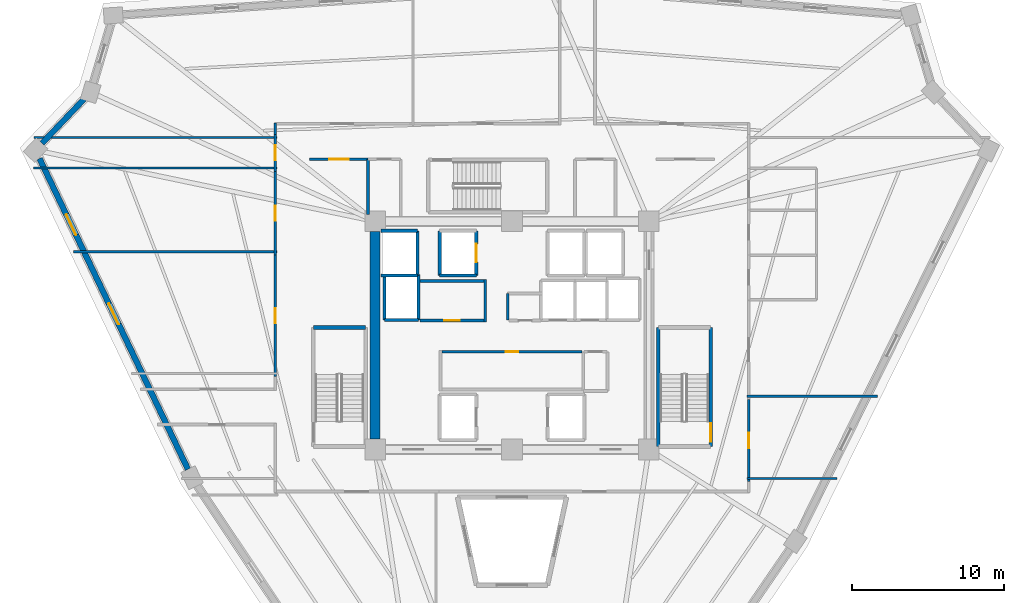
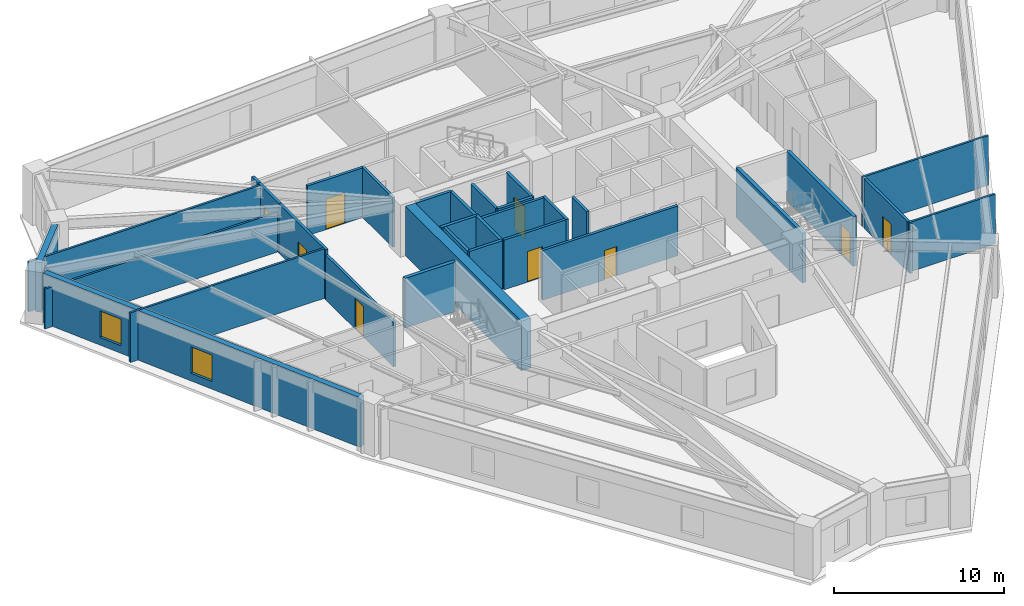
# One storey, part 4 of 8: 32 walls, 9 doors, 2 windows, 11 openings.
"""IFC4 building model written with IfcOpenShell, lengths in metres."""

from ifc_helpers import new_model, si_unit, direction, frame, frame_2d, origin, place, context, subcontext, project, spatial, rectangle, extrude, source, transform, mapped, material, layer, layer_set, type_object, element, fill, save


model = new_model("IFC4")

# Units and contexts
model_context = context("Model", 3, precision=1e-05, world=origin(), true_north=direction((0.0, 1.0)))
body_context = subcontext(model_context, "Body", "Model", "MODEL_VIEW")
ifc_project = project(units=[si_unit("LENGTHUNIT", "METRE"), si_unit("AREAUNIT", "SQUARE_METRE"), si_unit("VOLUMEUNIT", "CUBIC_METRE"), si_unit("PLANEANGLEUNIT", "RADIAN"), si_unit("MASSUNIT", "GRAM", prefix="KILO")], contexts=[model_context])

# Site, building, storey
site_placement = place(None, origin())
site = spatial("IfcSite", under=ifc_project, at=site_placement, CompositionType="ELEMENT")
building_placement = place(site_placement, origin())
building = spatial("IfcBuilding", under=site, at=building_placement, Name="Liaohun Quay Tower", CompositionType="ELEMENT")
storey_placement = place(building_placement, frame((0.0, 0.0, 270.0)))
storey = spatial("IfcBuildingStorey", under=building, at=storey_placement, Name="L70", CompositionType="ELEMENT", Elevation=270.0)

# Walls
ifc_material_1 = material(Name="Concrete C55", Category="concrete")
ifc_layer_1 = layer(ifc_material_1, 0.64990234375, Name="Concrete C55", Category="concrete")
ifc_layer_set_1 = layer_set([ifc_layer_1], Name="Concrete C55")
wall_type_1 = type_object("IfcWallType", Name="WAL-COR-Z3", PredefinedType="SHEAR", material=ifc_layer_set_1)
wall_1_placement = place(storey_placement, frame((51.0, 47.175048828125, 0.0), z_axis=(0.0, 0.0, 1.0), x_axis=(0.0, 1.0, 0.0)))
element("IfcWall", 1, at=wall_1_placement, inside=storey, type_object=wall_type_1, Name="L70 Central Core Shear Wall W", PredefinedType="SHEAR", context=body_context, shape_type="SweptSolid", body=[
    extrude(rectangle(XDim=13.64990234375, YDim=0.64990234375, at=frame_2d((6.824951171875, 0.0))), origin(), (0.0, 0.0, 1.0), 3.570068359375),
])
ifc_material_2 = material(Name="Precast concrete C50 insulated sandwich", Category="concrete")
ifc_layer_2 = layer(ifc_material_2, 0.3798828125, Name="Precast concrete C50 insulated sandwich", Category="concrete")
ifc_layer_set_2 = layer_set([ifc_layer_2], Name="Precast concrete C50 insulated sandwich")
wall_type_2 = type_object("IfcWallType", Name="WAL-EXT-Z34", PredefinedType="SOLIDWALL", material=ifc_layer_set_2)
wall_2_placement = place(storey_placement, frame((31.8779296875, 69.5458984375, 0.0), z_axis=(0.0, 0.0, 1.0), x_axis=(-0.689423828673, -0.724358187955, 0.0)))
element("IfcWall", 2, at=wall_2_placement, inside=storey, type_object=wall_type_2, Name="L70 Brutalist Precast Pier Wall 09", PredefinedType="SOLIDWALL", context=body_context, shape_type="SweptSolid", body=[
    extrude(rectangle(XDim=4.032470703125, YDim=0.3798828125, at=frame_2d((2.01611328125, 0.0))), origin(), (0.0, 0.0, 1.0), 3.570068359375),
])

# Wall, openings, windows
wall_3_placement = place(storey_placement, frame((28.93896484375, 65.6240234375, 0.0), z_axis=(0.0, 0.0, 1.0), x_axis=(0.431066278959, -0.902320266393, 0.0)))
wall_3 = element("IfcWall", 3, at=wall_3_placement, inside=storey, type_object=wall_type_2, Name="L70 Brutalist Precast Pier Wall 10", PredefinedType="SOLIDWALL", context=body_context, shape_type="SweptSolid", body=[
    extrude(rectangle(XDim=22.6416015625, YDim=0.3798828125, at=frame_2d((11.32080078125, 0.0))), origin(), (0.0, 0.0, 1.0), 3.570068359375),
])
shared_shape_1 = source(origin(), body_context, "Body", "SweptSolid", [
    extrude(rectangle(XDim=1.5, YDim=1.89990234375, at=frame_2d((0.75, 0.949951171875))), frame((0.0, 0.199951171875, 0.0), z_axis=(0.0, -1.0, 0.0), x_axis=(1.0, 0.0, 0.0)), (0.0, 0.0, 1.0), 0.39990234375),
])
opening_1_placement = place(wall_3_placement, frame((4.06005859375, 0.0, 0.550048828125)))
opening_1 = element("IfcOpeningElement", 4, at=opening_1_placement, cuts=wall_3, Name="Opening W03", PredefinedType="OPENING", context=body_context, shape_type="MappedRepresentation", body=[
    mapped(shared_shape_1, transform((0.0, 0.0, 0.0), x_axis=(1.0, 0.0, 0.0), y_axis=(0.0, 1.0, 0.0), z_axis=(0.0, 0.0, 1.0), scale=1.0)),
])
opening_2_placement = place(wall_3_placement, frame((10.571044921875, 0.0, 0.550048828125)))
opening_2 = element("IfcOpeningElement", 5, at=opening_2_placement, cuts=wall_3, Name="Opening W03", PredefinedType="OPENING", context=body_context, shape_type="MappedRepresentation", body=[
    mapped(shared_shape_1, transform((0.0, 0.0, 0.0), x_axis=(1.0, 0.0, 0.0), y_axis=(0.0, 1.0, 0.0), z_axis=(0.0, 0.0, 1.0), scale=1.0)),
])
ifc_material_3 = material(Name="Triple Low-E argon glazing in thermally broken aluminium", Category="aluminium")
window_type = type_object("IfcWindowType", Name="WIN-PUN-Z3", PartitioningType="DOUBLE_PANEL_VERTICAL", PredefinedType="WINDOW", material=ifc_material_3)
shared_shape_2 = source(origin(), body_context, "Body", "SweptSolid", [
    extrude(rectangle(XDim=1.5, YDim=1.89990234375, at=frame_2d((0.75, 0.949951171875))), frame((0.0, 0.030029296875, 0.0), z_axis=(0.0, -1.0, 0.0), x_axis=(1.0, 0.0, 0.0)), (0.0, 0.0, 1.0), 0.06005859375),
])
window_1_placement = place(opening_1_placement, origin())
window_1 = element("IfcWindow", 6, at=window_1_placement, inside=storey, type_object=window_type, Name="L70 Recessed Cold-Climate Punched Window 10-1", OverallHeight=1.89990234375, OverallWidth=1.5, PartitioningType="DOUBLE_PANEL_VERTICAL", PredefinedType="WINDOW", context=body_context, shape_type="MappedRepresentation", body=[
    mapped(shared_shape_2, transform((0.0, 0.0, 0.0), x_axis=(1.0, 0.0, 0.0), y_axis=(0.0, 1.0, 0.0), z_axis=(0.0, 0.0, 1.0), scale=1.0)),
])
fill(opening_1, window_1)
window_2_placement = place(opening_2_placement, origin())
window_2 = element("IfcWindow", 7, at=window_2_placement, inside=storey, type_object=window_type, Name="L70 Recessed Cold-Climate Punched Window 10-2", OverallHeight=1.89990234375, OverallWidth=1.5, PartitioningType="DOUBLE_PANEL_VERTICAL", PredefinedType="WINDOW", context=body_context, shape_type="MappedRepresentation", body=[
    mapped(shared_shape_2, transform((0.0, 0.0, 0.0), x_axis=(1.0, 0.0, 0.0), y_axis=(0.0, 1.0, 0.0), z_axis=(0.0, 0.0, 1.0), scale=1.0)),
])
fill(opening_2, window_2)

# Wall, opening, door
ifc_material_4 = material(Name="Autoclaved aerated concrete blockwork", Category="masonry")
ifc_layer_3 = layer(ifc_material_4, 0.179931640625, Name="Autoclaved aerated concrete blockwork", Category="masonry")
ifc_layer_set_3 = layer_set([ifc_layer_3], Name="Autoclaved aerated concrete blockwork")
wall_type_3 = type_object("IfcWallType", Name="WAL-PRT-COR", PredefinedType="PARTITIONING", material=ifc_layer_set_3)
wall_4_placement = place(storey_placement, frame((55.389892578125, 52.919921875, 0.0), z_axis=(0.0, 0.0, 1.0), x_axis=(1.0, 0.0, 0.0)))
wall_4 = element("IfcWall", 8, at=wall_4_placement, inside=storey, type_object=wall_type_3, Name="L70 Interior Partition Wall 001", PredefinedType="PARTITIONING", context=body_context, shape_type="SweptSolid", body=[
    extrude(rectangle(XDim=9.210205078125, YDim=0.179931640625, at=frame_2d((4.60498046875, 0.0))), origin(), (0.0, 0.0, 1.0), 3.570068359375),
])
shared_shape_3 = source(origin(), body_context, "Body", "SweptSolid", [
    extrude(rectangle(XDim=0.85009765625, YDim=2.10009765625, at=frame_2d((0.425048828125, 1.050048828125))), frame((0.0, 0.099853515625, 0.0), z_axis=(0.0, -1.0, 0.0), x_axis=(1.0, 0.0, 0.0)), (0.0, 0.0, 1.0), 0.199951171875),
])
opening_3_placement = place(wall_4_placement, frame((4.18505859375, 0.0, 0.0)))
opening_3 = element("IfcOpeningElement", 9, at=opening_3_placement, cuts=wall_4, Name="Opening AD1", PredefinedType="OPENING", context=body_context, shape_type="MappedRepresentation", body=[
    mapped(shared_shape_3, transform((0.0, 0.0, 0.0), x_axis=(1.0, 0.0, 0.0), y_axis=(0.0, 1.0, 0.0), z_axis=(0.0, 0.0, 1.0), scale=1.0)),
])
ifc_material_5 = material(Name="Steel riser inspection fire door", Category="steel")
door_type_1 = type_object("IfcDoorType", Name="DOR-SHF-850", OperationType="NOTDEFINED", PredefinedType="DOOR", material=ifc_material_5)
shared_shape_4 = source(origin(), body_context, "Body", "SweptSolid", [
    extrude(rectangle(XDim=0.85009765625, YDim=2.10009765625, at=frame_2d((0.425048828125, 1.050048828125))), frame((0.0, 0.02490234375, 0.0), z_axis=(0.0, -1.0, 0.0), x_axis=(1.0, 0.0, 0.0)), (0.0, 0.0, 1.0), 0.050048828125),
])
door_1_placement = place(opening_3_placement, origin())
door_1 = element("IfcDoor", 10, at=door_1_placement, inside=storey, type_object=door_type_1, Name="L70 Core Tenant Storage and Archive Room Door", OperationType="SINGLE_SWING_LEFT", OverallHeight=2.10009765625, OverallWidth=0.85009765625, PredefinedType="DOOR", context=body_context, shape_type="MappedRepresentation", body=[
    mapped(shared_shape_4, transform((0.0, 0.0, 0.0), x_axis=(1.0, 0.0, 0.0), y_axis=(0.0, 1.0, 0.0), z_axis=(0.0, 0.0, 1.0), scale=1.0)),
])
fill(opening_3, door_1)

wall_5_placement = place(storey_placement, frame((53.949951171875, 54.97998046875, 0.0), z_axis=(0.0, 0.0, 1.0), x_axis=(1.0, 0.0, 0.0)))
wall_5 = element("IfcWall", 11, at=wall_5_placement, inside=storey, type_object=wall_type_3, Name="L70 Interior Partition Wall 002", PredefinedType="PARTITIONING", context=body_context, shape_type="SweptSolid", body=[
    extrude(rectangle(XDim=4.2099609375, YDim=0.179931640625, at=frame_2d((2.10498046875, 0.0))), origin(), (0.0, 0.0, 1.0), 3.570068359375),
])
shared_shape_5 = source(origin(), body_context, "Body", "SweptSolid", [
    extrude(rectangle(XDim=1.0, YDim=2.199951171875, at=frame_2d((0.5, 1.10009765625))), frame((0.0, 0.099853515625, 0.0), z_axis=(0.0, -1.0, 0.0), x_axis=(1.0, 0.0, 0.0)), (0.0, 0.0, 1.0), 0.199951171875),
])
opening_4_placement = place(wall_5_placement, frame((1.60009765625, 0.0, 0.0)))
opening_4 = element("IfcOpeningElement", 12, at=opening_4_placement, cuts=wall_5, Name="Opening OD1", PredefinedType="OPENING", context=body_context, shape_type="MappedRepresentation", body=[
    mapped(shared_shape_5, transform((0.0, 0.0, 0.0), x_axis=(1.0, 0.0, 0.0), y_axis=(0.0, 1.0, 0.0), z_axis=(0.0, 0.0, 1.0), scale=1.0)),
])
ifc_material_6 = material(Name="Solid-core oak veneer timber leaf in steel frame", Category="steel")
door_type_2 = type_object("IfcDoorType", Name="DOR-OFF-1000", OperationType="NOTDEFINED", PredefinedType="DOOR", material=ifc_material_6)
shared_shape_6 = source(origin(), body_context, "Body", "SweptSolid", [
    extrude(rectangle(XDim=1.0, YDim=2.199951171875, at=frame_2d((0.5, 1.10009765625))), frame((0.0, 0.02490234375, 0.0), z_axis=(0.0, -1.0, 0.0), x_axis=(1.0, 0.0, 0.0)), (0.0, 0.0, 1.0), 0.050048828125),
])
door_2_placement = place(opening_4_placement, origin())
door_2 = element("IfcDoor", 13, at=door_2_placement, inside=storey, type_object=door_type_2, Name="L70 Core Staff Pantry and Tea Room Door", OperationType="SINGLE_SWING_RIGHT", OverallHeight=2.199951171875, OverallWidth=1.0, PredefinedType="DOOR", context=body_context, shape_type="MappedRepresentation", body=[
    mapped(shared_shape_6, transform((0.0, 0.0, 0.0), x_axis=(1.0, 0.0, 0.0), y_axis=(0.0, 1.0, 0.0), z_axis=(0.0, 0.0, 1.0), scale=1.0)),
])
fill(opening_4, door_2)

wall_6_placement = place(storey_placement, frame((46.699951171875, 65.580078125, 0.0), z_axis=(0.0, 0.0, 1.0), x_axis=(1.0, 0.0, 0.0)))
wall_6 = element("IfcWall", 14, at=wall_6_placement, inside=storey, type_object=wall_type_3, Name="L70 Interior Partition Wall 010", PredefinedType="PARTITIONING", context=body_context, shape_type="SweptSolid", body=[
    extrude(rectangle(XDim=3.840087890625, YDim=0.179931640625, at=frame_2d((1.919921875, 0.0))), origin(), (0.0, 0.0, 1.0), 3.570068359375),
])
shared_shape_7 = source(origin(), body_context, "Body", "SweptSolid", [
    extrude(rectangle(XDim=1.300048828125, YDim=2.199951171875, at=frame_2d((0.64990234375, 1.10009765625))), frame((0.0, 0.099853515625, 0.0), z_axis=(0.0, -1.0, 0.0), x_axis=(1.0, 0.0, 0.0)), (0.0, 0.0, 1.0), 0.199951171875),
])
opening_5_placement = place(wall_6_placement, frame((1.27001953125, 0.0, 0.0)))
opening_5 = element("IfcOpeningElement", 15, at=opening_5_placement, cuts=wall_6, Name="Opening FD1", PredefinedType="OPENING", context=body_context, shape_type="MappedRepresentation", body=[
    mapped(shared_shape_7, transform((0.0, 0.0, 0.0), x_axis=(1.0, 0.0, 0.0), y_axis=(0.0, 1.0, 0.0), z_axis=(0.0, 0.0, 1.0), scale=1.0)),
])
ifc_material_7 = material(Name="Galvanised steel smokeproof fire door", Category="steel")
door_type_3 = type_object("IfcDoorType", Name="DOR-FFL-1300", OperationType="NOTDEFINED", PredefinedType="DOOR", material=ifc_material_7)
shared_shape_8 = source(origin(), body_context, "Body", "SweptSolid", [
    extrude(rectangle(XDim=1.300048828125, YDim=2.199951171875, at=frame_2d((0.64990234375, 1.10009765625))), frame((0.0, 0.02490234375, 0.0), z_axis=(0.0, -1.0, 0.0), x_axis=(1.0, 0.0, 0.0)), (0.0, 0.0, 1.0), 0.050048828125),
])
door_3_placement = place(opening_5_placement, origin())
door_3 = element("IfcDoor", 16, at=door_3_placement, inside=storey, type_object=door_type_3, Name="L70 West Core Vestibule Door", OperationType="SINGLE_SWING_RIGHT", OverallHeight=2.199951171875, OverallWidth=1.300048828125, PredefinedType="DOOR", context=body_context, shape_type="MappedRepresentation", body=[
    mapped(shared_shape_8, transform((0.0, 0.0, 0.0), x_axis=(1.0, 0.0, 0.0), y_axis=(0.0, 1.0, 0.0), z_axis=(0.0, 0.0, 1.0), scale=1.0)),
])
fill(opening_5, door_3)

wall_7_placement = place(storey_placement, frame((44.43994140625, 64.784912109375, 0.0), z_axis=(0.0, 0.0, 1.0), x_axis=(0.0, 1.0, 0.0)))
wall_7 = element("IfcWall", 17, at=wall_7_placement, inside=storey, type_object=wall_type_3, Name="L70 Interior Partition Wall 016", PredefinedType="PARTITIONING", context=body_context, shape_type="SweptSolid", body=[
    extrude(rectangle(XDim=2.43017578125, YDim=0.179931640625, at=frame_2d((1.215087890625, 0.0))), origin(), (0.0, 0.0, 1.0), 3.570068359375),
])
opening_6_placement = place(wall_7_placement, frame((0.715087890625, 0.0, 0.0)))
opening_6 = element("IfcOpeningElement", 18, at=opening_6_placement, cuts=wall_7, Name="Opening OD1", PredefinedType="OPENING", context=body_context, shape_type="MappedRepresentation", body=[
    mapped(shared_shape_5, transform((0.0, 0.0, 0.0), x_axis=(1.0, 0.0, 0.0), y_axis=(0.0, 1.0, 0.0), z_axis=(0.0, 0.0, 1.0), scale=1.0)),
])
door_4_placement = place(opening_6_placement, origin())
door_4 = element("IfcDoor", 19, at=door_4_placement, inside=storey, type_object=door_type_2, Name="L70 Corporate Exhibition Gallery 05 Door", OperationType="SINGLE_SWING_RIGHT", OverallHeight=2.199951171875, OverallWidth=1.0, PredefinedType="DOOR", context=body_context, shape_type="MappedRepresentation", body=[
    mapped(shared_shape_6, transform((0.0, 0.0, 0.0), x_axis=(1.0, 0.0, 0.0), y_axis=(0.0, 1.0, 0.0), z_axis=(0.0, 0.0, 1.0), scale=1.0)),
])
fill(opening_6, door_4)

wall_8_placement = place(storey_placement, frame((44.43994140625, 59.284912109375, 0.0), z_axis=(0.0, 0.0, 1.0), x_axis=(0.0, 1.0, 0.0)))
wall_8 = element("IfcWall", 20, at=wall_8_placement, inside=storey, type_object=wall_type_3, Name="L70 Interior Partition Wall 017", PredefinedType="PARTITIONING", context=body_context, shape_type="SweptSolid", body=[
    extrude(rectangle(XDim=5.5, YDim=0.179931640625, at=frame_2d((2.75, 0.0))), origin(), (0.0, 0.0, 1.0), 3.570068359375),
])
opening_7_placement = place(wall_8_placement, frame((2.25, 0.0, 0.0)))
opening_7 = element("IfcOpeningElement", 21, at=opening_7_placement, cuts=wall_8, Name="Opening OD1", PredefinedType="OPENING", context=body_context, shape_type="MappedRepresentation", body=[
    mapped(shared_shape_5, transform((0.0, 0.0, 0.0), x_axis=(1.0, 0.0, 0.0), y_axis=(0.0, 1.0, 0.0), z_axis=(0.0, 0.0, 1.0), scale=1.0)),
])
door_5_placement = place(opening_7_placement, origin())
door_5 = element("IfcDoor", 22, at=door_5_placement, inside=storey, type_object=door_type_2, Name="L70 Staff Tea Kitchen and Pantry 06 Door", OperationType="SINGLE_SWING_LEFT", OverallHeight=2.199951171875, OverallWidth=1.0, PredefinedType="DOOR", context=body_context, shape_type="MappedRepresentation", body=[
    mapped(shared_shape_6, transform((0.0, 0.0, 0.0), x_axis=(1.0, 0.0, 0.0), y_axis=(0.0, 1.0, 0.0), z_axis=(0.0, 0.0, 1.0), scale=1.0)),
])
fill(opening_7, door_5)

wall_9_placement = place(storey_placement, frame((44.43994140625, 51.284912109375, 0.0), z_axis=(0.0, 0.0, 1.0), x_axis=(0.0, 1.0, 0.0)))
wall_9 = element("IfcWall", 23, at=wall_9_placement, inside=storey, type_object=wall_type_3, Name="L70 Interior Partition Wall 018", PredefinedType="PARTITIONING", context=body_context, shape_type="SweptSolid", body=[
    extrude(rectangle(XDim=8.0, YDim=0.179931640625, at=frame_2d((4.0, 0.0))), origin(), (0.0, 0.0, 1.0), 3.205078125),
])
opening_8_placement = place(wall_9_placement, frame((3.5, 0.0, 0.0)))
opening_8 = element("IfcOpeningElement", 24, at=opening_8_placement, cuts=wall_9, Name="Opening OD1", PredefinedType="OPENING", context=body_context, shape_type="MappedRepresentation", body=[
    mapped(shared_shape_5, transform((0.0, 0.0, 0.0), x_axis=(1.0, 0.0, 0.0), y_axis=(0.0, 1.0, 0.0), z_axis=(0.0, 0.0, 1.0), scale=1.0)),
])
door_6_placement = place(opening_8_placement, origin())
door_6 = element("IfcDoor", 25, at=door_6_placement, inside=storey, type_object=door_type_2, Name="L70 Digital Prototyping Laboratory 07 Door", OperationType="SINGLE_SWING_RIGHT", OverallHeight=2.199951171875, OverallWidth=1.0, PredefinedType="DOOR", context=body_context, shape_type="MappedRepresentation", body=[
    mapped(shared_shape_6, transform((0.0, 0.0, 0.0), x_axis=(1.0, 0.0, 0.0), y_axis=(0.0, 1.0, 0.0), z_axis=(0.0, 0.0, 1.0), scale=1.0)),
])
fill(opening_8, door_6)

wall_10_placement = place(storey_placement, frame((75.56005859375, 49.784912109375, 0.0), z_axis=(0.0, 0.0, 1.0), x_axis=(0.0, -1.0, 0.0)))
wall_10 = element("IfcWall", 26, at=wall_10_placement, inside=storey, type_object=wall_type_3, Name="L70 Interior Partition Wall 023", PredefinedType="PARTITIONING", context=body_context, shape_type="SweptSolid", body=[
    extrude(rectangle(XDim=5.39990234375, YDim=0.179931640625, at=frame_2d((2.699951171875, 0.0))), origin(), (0.0, 0.0, 1.0), 3.570068359375),
])
opening_9_placement = place(wall_10_placement, frame((2.199951171875, 0.0, 0.0)))
opening_9 = element("IfcOpeningElement", 27, at=opening_9_placement, cuts=wall_10, Name="Opening OD1", PredefinedType="OPENING", context=body_context, shape_type="MappedRepresentation", body=[
    mapped(shared_shape_5, transform((0.0, 0.0, 0.0), x_axis=(1.0, 0.0, 0.0), y_axis=(0.0, 1.0, 0.0), z_axis=(0.0, 0.0, 1.0), scale=1.0)),
])
door_7_placement = place(opening_9_placement, origin())
door_7 = element("IfcDoor", 28, at=door_7_placement, inside=storey, type_object=door_type_2, Name="L70 Client Reception Office 12 Door", OperationType="SINGLE_SWING_LEFT", OverallHeight=2.199951171875, OverallWidth=1.0, PredefinedType="DOOR", context=body_context, shape_type="MappedRepresentation", body=[
    mapped(shared_shape_6, transform((0.0, 0.0, 0.0), x_axis=(1.0, 0.0, 0.0), y_axis=(0.0, 1.0, 0.0), z_axis=(0.0, 0.0, 1.0), scale=1.0)),
])
fill(opening_9, door_7)

# Walls
wall_11_placement = place(storey_placement, frame((59.719970703125, 55.02001953125, 0.0), z_axis=(0.0, 0.0, 1.0), x_axis=(0.0, 1.0, 0.0)))
element("IfcWall", 29, at=wall_11_placement, inside=storey, type_object=wall_type_3, Name="L70 Interior Partition Wall 024", PredefinedType="PARTITIONING", context=body_context, shape_type="SweptSolid", body=[
    extrude(rectangle(XDim=1.72998046875, YDim=0.179931640625, at=frame_2d((0.864990234375, 0.0))), origin(), (0.0, 0.0, 1.0), 3.570068359375),
])
wall_12_placement = place(storey_placement, frame((50.5400390625, 61.949951171875, 0.0), z_axis=(0.0, 0.0, 1.0), x_axis=(0.0, 1.0, 0.0)))
element("IfcWall", 30, at=wall_12_placement, inside=storey, type_object=wall_type_3, Name="L70 Interior Partition Wall 034", PredefinedType="PARTITIONING", context=body_context, shape_type="SweptSolid", body=[
    extrude(rectangle(XDim=3.630126953125, YDim=0.179931640625, at=frame_2d((1.81494140625, 0.0))), origin(), (0.0, 0.0, 1.0), 3.570068359375),
])
wall_13_placement = place(storey_placement, frame((44.43994140625, 67.215087890625, 0.0), z_axis=(0.0, 0.0, 1.0), x_axis=(0.0, 1.0, 0.0)))
element("IfcWall", 31, at=wall_13_placement, inside=storey, type_object=wall_type_3, Name="L70 Interior Partition Wall 042", PredefinedType="PARTITIONING", context=body_context, shape_type="SweptSolid", body=[
    extrude(rectangle(XDim=0.764892578125, YDim=0.179931640625, at=frame_2d((0.38232421875, 0.0))), origin(), (0.0, 0.0, 1.0), 3.570068359375),
])
wall_14_placement = place(storey_placement, frame((58.25, 54.889892578125, 0.0), z_axis=(0.0, 0.0, 1.0), x_axis=(0.0, 1.0, 0.0)))
element("IfcWall", 32, at=wall_14_placement, inside=storey, type_object=wall_type_3, Name="L70 Interior Partition Wall 060", PredefinedType="PARTITIONING", context=body_context, shape_type="SweptSolid", body=[
    extrude(rectangle(XDim=2.780029296875, YDim=0.179931640625, at=frame_2d((1.39013671875, 0.0))), origin(), (0.0, 0.0, 1.0), 3.570068359375),
])
wall_15_placement = place(storey_placement, frame((53.949951171875, 57.580078125, 0.0), z_axis=(0.0, 0.0, 1.0), x_axis=(1.0, 0.0, 0.0)))
element("IfcWall", 33, at=wall_15_placement, inside=storey, type_object=wall_type_3, Name="L70 Interior Partition Wall 061", PredefinedType="PARTITIONING", context=body_context, shape_type="SweptSolid", body=[
    extrude(rectangle(XDim=4.2099609375, YDim=0.179931640625, at=frame_2d((2.10498046875, 0.0))), origin(), (0.0, 0.0, 1.0), 3.570068359375),
])
ifc_material_8 = material(Name="Gypsum board on twin steel studs", Category="steel")
ifc_layer_4 = layer(ifc_material_8, 0.139892578125, Name="Gypsum board on twin steel studs", Category="steel")
ifc_layer_set_4 = layer_set([ifc_layer_4], Name="Gypsum board on twin steel studs")
wall_type_4 = type_object("IfcWallType", Name="WAL-PRT-OFF", PredefinedType="PARTITIONING", material=ifc_layer_set_4)
wall_16_placement = place(storey_placement, frame((44.5400390625, 59.5, 0.0), z_axis=(0.0, 0.0, 1.0), x_axis=(-1.0, 0.0, 0.0)))
element("IfcWall", 34, at=wall_16_placement, inside=storey, type_object=wall_type_4, Name="L70 Interior Partition Wall 050", PredefinedType="PARTITIONING", context=body_context, shape_type="SweptSolid", body=[
    extrude(rectangle(XDim=13.373046875, YDim=0.139892578125, at=frame_2d((6.6865234375, 0.0))), origin(), (0.0, 0.0, 1.0), 3.570068359375),
])
wall_17_placement = place(storey_placement, frame((44.5400390625, 65.0, 0.0), z_axis=(0.0, 0.0, 1.0), x_axis=(-1.0, 0.0, 0.0)))
element("IfcWall", 35, at=wall_17_placement, inside=storey, type_object=wall_type_4, Name="L70 Interior Partition Wall 051", PredefinedType="PARTITIONING", context=body_context, shape_type="SweptSolid", body=[
    extrude(rectangle(XDim=16.0009765625, YDim=0.139892578125, at=frame_2d((8.00048828125, 0.0))), origin(), (0.0, 0.0, 1.0), 2.85498046875),
])
wall_18_placement = place(storey_placement, frame((44.5400390625, 67.0, 0.0), z_axis=(0.0, 0.0, 1.0), x_axis=(-1.0, 0.0, 0.0)))
element("IfcWall", 36, at=wall_18_placement, inside=storey, type_object=wall_type_4, Name="L70 Interior Partition Wall 052", PredefinedType="PARTITIONING", context=body_context, shape_type="SweptSolid", body=[
    extrude(rectangle(XDim=15.9541015625, YDim=0.139892578125, at=frame_2d((7.97705078125, 0.0))), origin(), (0.0, 0.0, 1.0), 3.570068359375),
])
wall_19_placement = place(storey_placement, frame((75.4599609375, 44.60009765625, 0.0), z_axis=(0.0, 0.0, 1.0), x_axis=(1.0, 0.0, 0.0)))
element("IfcWall", 37, at=wall_19_placement, inside=storey, type_object=wall_type_4, Name="L70 Interior Partition Wall 053", PredefinedType="PARTITIONING", context=body_context, shape_type="SweptSolid", body=[
    extrude(rectangle(XDim=5.91015625, YDim=0.139892578125, at=frame_2d((2.955078125, 0.0))), origin(), (0.0, 0.0, 1.0), 3.570068359375),
])
wall_20_placement = place(storey_placement, frame((75.4599609375, 50.0, 0.0), z_axis=(0.0, 0.0, 1.0), x_axis=(1.0, 0.0, 0.0)))
element("IfcWall", 38, at=wall_20_placement, inside=storey, type_object=wall_type_4, Name="L70 Interior Partition Wall 054", PredefinedType="PARTITIONING", context=body_context, shape_type="SweptSolid", body=[
    extrude(rectangle(XDim=8.574951171875, YDim=0.139892578125, at=frame_2d((4.28759765625, 0.0))), origin(), (0.0, 0.0, 1.0), 3.570068359375),
])
ifc_material_9 = material(Name="Concrete C50", Category="concrete")
ifc_layer_5 = layer(ifc_material_9, 0.239990234375, Name="Concrete C50", Category="concrete")
ifc_layer_set_5 = layer_set([ifc_layer_5], Name="Concrete C50")
wall_type_5 = type_object("IfcWallType", Name="WAL-SHF-200", PredefinedType="SOLIDWALL", material=ifc_layer_set_5)
wall_21_placement = place(storey_placement, frame((50.3798828125, 54.52001953125, 0.0), z_axis=(0.0, 0.0, 1.0), x_axis=(-1.0, 0.0, 0.0)))
element("IfcWall", 39, at=wall_21_placement, inside=storey, type_object=wall_type_5, Name="L70 Stairwell ST-1 Structural Core Wall N", PredefinedType="SOLIDWALL", context=body_context, shape_type="SweptSolid", body=[
    extrude(rectangle(XDim=3.43994140625, YDim=0.239990234375, at=frame_2d((1.719970703125, 0.0))), origin(), (0.0, 0.0, 1.0), 3.570068359375),
])

# Wall, opening, door
wall_22_placement = place(storey_placement, frame((73.06005859375, 46.699951171875, 0.0), z_axis=(0.0, 0.0, 1.0), x_axis=(0.0, 1.0, 0.0)))
wall_22 = element("IfcWall", 40, at=wall_22_placement, inside=storey, type_object=wall_type_5, Name="L70 Stairwell ST-2 Structural Core Wall E", PredefinedType="SOLIDWALL", context=body_context, shape_type="SweptSolid", body=[
    extrude(rectangle(XDim=7.820068359375, YDim=0.239990234375, at=frame_2d((3.91015625, 0.0))), origin(), (0.0, 0.0, 1.0), 3.570068359375),
])
shared_shape_9 = source(origin(), body_context, "Body", "SweptSolid", [
    extrude(rectangle(XDim=1.199951171875, YDim=2.199951171875, at=frame_2d((0.60009765625, 1.10009765625))), frame((0.0, 0.1298828125, 0.0), z_axis=(0.0, -1.0, 0.0), x_axis=(1.0, 0.0, 0.0)), (0.0, 0.0, 1.0), 0.260009765625),
])
opening_10_placement = place(wall_22_placement, frame((0.320068359375, 0.0, 0.0)))
opening_10 = element("IfcOpeningElement", 41, at=opening_10_placement, cuts=wall_22, Name="Opening SD1", PredefinedType="OPENING", context=body_context, shape_type="MappedRepresentation", body=[
    mapped(shared_shape_9, transform((0.0, 0.0, 0.0), x_axis=(1.0, 0.0, 0.0), y_axis=(0.0, 1.0, 0.0), z_axis=(0.0, 0.0, 1.0), scale=1.0)),
])
ifc_material_10 = material(Name="Galvanised steel fire door", Category="steel")
door_type_4 = type_object("IfcDoorType", Name="DOR-STR-1200", OperationType="NOTDEFINED", PredefinedType="DOOR", material=ifc_material_10)
shared_shape_10 = source(origin(), body_context, "Body", "SweptSolid", [
    extrude(rectangle(XDim=1.199951171875, YDim=2.199951171875, at=frame_2d((0.60009765625, 1.10009765625))), frame((0.0, 0.02490234375, 0.0), z_axis=(0.0, -1.0, 0.0), x_axis=(1.0, 0.0, 0.0)), (0.0, 0.0, 1.0), 0.050048828125),
])
door_8_placement = place(opening_10_placement, origin())
door_8 = element("IfcDoor", 42, at=door_8_placement, inside=storey, type_object=door_type_4, Name="L70 Protected Stair ST-2 Fire Door", OperationType="SINGLE_SWING_RIGHT", OverallHeight=2.199951171875, OverallWidth=1.199951171875, PredefinedType="DOOR", context=body_context, shape_type="MappedRepresentation", body=[
    mapped(shared_shape_10, transform((0.0, 0.0, 0.0), x_axis=(1.0, 0.0, 0.0), y_axis=(0.0, 1.0, 0.0), z_axis=(0.0, 0.0, 1.0), scale=1.0)),
])
fill(opening_10, door_8)

# Walls
wall_23_placement = place(storey_placement, frame((69.6201171875, 54.52001953125, 0.0), z_axis=(0.0, 0.0, 1.0), x_axis=(0.0, -1.0, 0.0)))
element("IfcWall", 43, at=wall_23_placement, inside=storey, type_object=wall_type_5, Name="L70 Stairwell ST-2 Structural Core Wall W", PredefinedType="SOLIDWALL", context=body_context, shape_type="SweptSolid", body=[
    extrude(rectangle(XDim=7.820068359375, YDim=0.239990234375, at=frame_2d((3.91015625, 0.0))), origin(), (0.0, 0.0, 1.0), 3.570068359375),
])
wall_24_placement = place(storey_placement, frame((55.25, 57.949951171875, 0.0), z_axis=(0.0, 0.0, 1.0), x_axis=(1.0, 0.0, 0.0)))
element("IfcWall", 44, at=wall_24_placement, inside=storey, type_object=wall_type_5, Name="L70 Lift FF-03 Hoistway Wall S", PredefinedType="SOLIDWALL", context=body_context, shape_type="SweptSolid", body=[
    extrude(rectangle(XDim=2.39990234375, YDim=0.199951171875, at=frame_2d((1.199951171875, 0.0))), origin(), (0.0, 0.0, 1.0), 3.570068359375),
])

# Wall, opening, door
wall_25_placement = place(storey_placement, frame((57.64990234375, 57.949951171875, 0.0), z_axis=(0.0, 0.0, 1.0), x_axis=(0.0, 1.0, 0.0)))
wall_25 = element("IfcWall", 45, at=wall_25_placement, inside=storey, type_object=wall_type_5, Name="L70 Lift FF-03 Hoistway Wall E", PredefinedType="SOLIDWALL", context=body_context, shape_type="SweptSolid", body=[
    extrude(rectangle(XDim=2.929931640625, YDim=0.199951171875, at=frame_2d((1.46484375, 0.0))), origin(), (0.0, 0.0, 1.0), 3.570068359375),
])
shared_shape_11 = source(origin(), body_context, "Body", "SweptSolid", [
    extrude(rectangle(XDim=1.199951171875, YDim=2.300048828125, at=frame_2d((0.60009765625, 1.14990234375))), frame((0.0, 0.10986328125, 0.0), z_axis=(0.0, -1.0, 0.0), x_axis=(1.0, 0.0, 0.0)), (0.0, 0.0, 1.0), 0.219970703125),
])
opening_11_placement = place(wall_25_placement, frame((0.864990234375, 0.0, 0.0)))
opening_11 = element("IfcOpeningElement", 46, at=opening_11_placement, cuts=wall_25, Name="Opening LD2", PredefinedType="OPENING", context=body_context, shape_type="MappedRepresentation", body=[
    mapped(shared_shape_11, transform((0.0, 0.0, 0.0), x_axis=(1.0, 0.0, 0.0), y_axis=(0.0, 1.0, 0.0), z_axis=(0.0, 0.0, 1.0), scale=1.0)),
])
ifc_material_11 = material(Name="Brushed stainless steel stretcher landing door", Category="steel")
door_type_5 = type_object("IfcDoorType", Name="DOR-LFT-1200", OperationType="SLIDING_TO_LEFT", PredefinedType="DOOR", material=ifc_material_11)
shared_shape_12 = source(origin(), body_context, "Body", "SweptSolid", [
    extrude(rectangle(XDim=1.199951171875, YDim=2.300048828125, at=frame_2d((0.60009765625, 1.14990234375))), frame((0.0, 0.02490234375, 0.0), z_axis=(0.0, -1.0, 0.0), x_axis=(1.0, 0.0, 0.0)), (0.0, 0.0, 1.0), 0.050048828125),
])
door_9_placement = place(opening_11_placement, origin())
door_9 = element("IfcDoor", 47, at=door_9_placement, inside=storey, type_object=door_type_5, Name="L70 Lift FF-03 Sliding Landing Door", OperationType="SLIDING_TO_LEFT", OverallHeight=2.300048828125, OverallWidth=1.199951171875, PredefinedType="DOOR", context=body_context, shape_type="MappedRepresentation", body=[
    mapped(shared_shape_12, transform((0.0, 0.0, 0.0), x_axis=(1.0, 0.0, 0.0), y_axis=(0.0, 1.0, 0.0), z_axis=(0.0, 0.0, 1.0), scale=1.0)),
])
fill(opening_11, door_9)

# Walls
wall_26_placement = place(storey_placement, frame((55.25, 60.8798828125, 0.0), z_axis=(0.0, 0.0, 1.0), x_axis=(0.0, -1.0, 0.0)))
element("IfcWall", 48, at=wall_26_placement, inside=storey, type_object=wall_type_5, Name="L70 Lift FF-03 Hoistway Wall W", PredefinedType="SOLIDWALL", context=body_context, shape_type="SweptSolid", body=[
    extrude(rectangle(XDim=2.929931640625, YDim=0.199951171875, at=frame_2d((1.46484375, 0.0))), origin(), (0.0, 0.0, 1.0), 3.570068359375),
])
wall_27_placement = place(storey_placement, frame((51.39990234375, 57.949951171875, 0.0), z_axis=(0.0, 0.0, 1.0), x_axis=(1.0, 0.0, 0.0)))
element("IfcWall", 49, at=wall_27_placement, inside=storey, type_object=wall_type_5, Name="L70 Lift SH-01 Hoistway Wall S", PredefinedType="SOLIDWALL", context=body_context, shape_type="SweptSolid", body=[
    extrude(rectangle(XDim=2.400146484375, YDim=0.199951171875, at=frame_2d((1.2001953125, 0.0))), origin(), (0.0, 0.0, 1.0), 3.570068359375),
])
wall_28_placement = place(storey_placement, frame((53.800048828125, 57.949951171875, 0.0), z_axis=(0.0, 0.0, 1.0), x_axis=(0.0, 1.0, 0.0)))
element("IfcWall", 50, at=wall_28_placement, inside=storey, type_object=wall_type_5, Name="L70 Lift SH-01 Hoistway Wall E", PredefinedType="SOLIDWALL", context=body_context, shape_type="SweptSolid", body=[
    extrude(rectangle(XDim=2.929931640625, YDim=0.199951171875, at=frame_2d((1.46484375, 0.0))), origin(), (0.0, 0.0, 1.0), 3.570068359375),
])
wall_29_placement = place(storey_placement, frame((53.800048828125, 60.8798828125, 0.0), z_axis=(0.0, 0.0, 1.0), x_axis=(-1.0, 0.0, 0.0)))
element("IfcWall", 51, at=wall_29_placement, inside=storey, type_object=wall_type_5, Name="L70 Lift SH-01 Hoistway Wall N", PredefinedType="SOLIDWALL", context=body_context, shape_type="SweptSolid", body=[
    extrude(rectangle(XDim=2.400146484375, YDim=0.199951171875, at=frame_2d((1.2001953125, 0.0))), origin(), (0.0, 0.0, 1.0), 3.570068359375),
])
wall_30_placement = place(storey_placement, frame((51.6201171875, 55.0, 0.0), z_axis=(0.0, 0.0, 1.0), x_axis=(1.0, 0.0, 0.0)))
element("IfcWall", 52, at=wall_30_placement, inside=storey, type_object=wall_type_5, Name="L70 Lift SH-02 Hoistway Wall S", PredefinedType="SOLIDWALL", context=body_context, shape_type="SweptSolid", body=[
    extrude(rectangle(XDim=2.22998046875, YDim=0.199951171875, at=frame_2d((1.114990234375, 0.0))), origin(), (0.0, 0.0, 1.0), 3.570068359375),
])
for number, where, z_axis, x_axis, name in (
    (53, (53.85009765625, 55.0, 0.0), (0.0, 0.0, 1.0), (0.0, 1.0, 0.0), "L70 Lift SH-02 Hoistway Wall E"),
    (54, (51.6201171875, 58.0, 0.0), (0.0, 0.0, 1.0), (0.0, -1.0, 0.0), "L70 Lift SH-02 Hoistway Wall W"),
):
    element("IfcWall", number, at=place(storey_placement, frame(where, z_axis=z_axis, x_axis=x_axis)), inside=storey, type_object=wall_type_5, Name=name, PredefinedType="SOLIDWALL", context=body_context, shape_type="SweptSolid", body=[
        extrude(rectangle(XDim=3.0, YDim=0.199951171875, at=frame_2d((1.5, 0.0))), origin(), (0.0, 0.0, 1.0), 3.570068359375),
    ])

save(model, "model.ifc")
